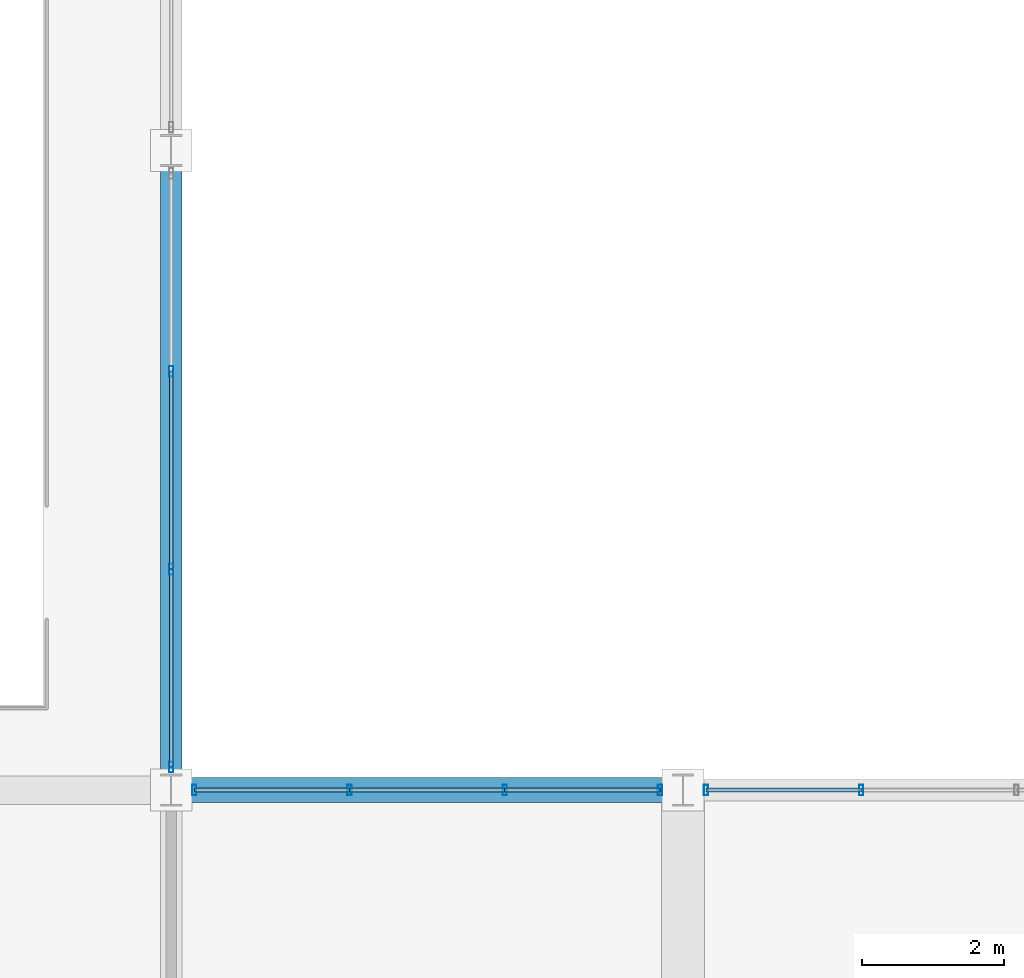
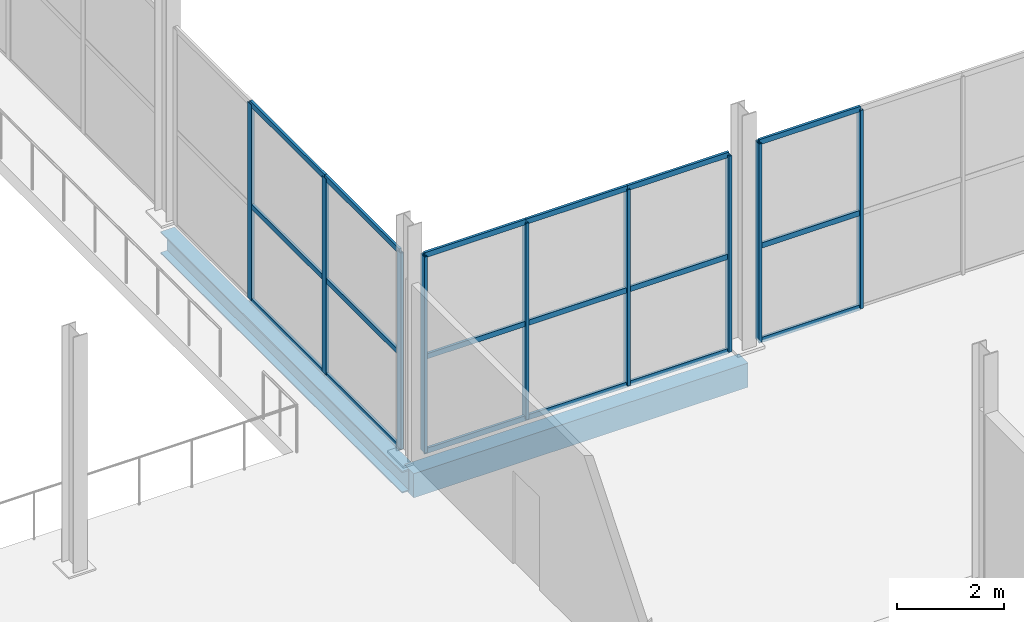
# One storey, part 45 of 147: 27 members, 2 beams, 3 elements without a shape of their own.
"""IFC4 building model written with IfcOpenShell, lengths in metres."""

from ifc_helpers import new_model, si_unit, direction, frame, origin, origin_2d, place, context, subcontext, project, spatial, rectangle, hollow_rectangle, i_section, extrude, material, layer, layer_set, material_profile, profile_set, type_object, element, aggregate, save


model = new_model("IFC4")

# Units and contexts
model_context = context("Model", 3, precision=1e-05, world=origin(), true_north=direction((0.0, 1.0)))
body_context = subcontext(model_context, "Body", "Model", "MODEL_VIEW")
ifc_project = project(units=[si_unit("LENGTHUNIT", "METRE"), si_unit("AREAUNIT", "SQUARE_METRE"), si_unit("VOLUMEUNIT", "CUBIC_METRE"), si_unit("PLANEANGLEUNIT", "RADIAN"), si_unit("MASSUNIT", "GRAM", prefix="KILO")], contexts=[model_context])

# Site, building, storey
site_placement = place(None, origin())
site = spatial("IfcSite", under=ifc_project, at=site_placement, CompositionType="ELEMENT")
building_placement = place(site_placement, origin())
building = spatial("IfcBuilding", under=site, at=building_placement, Name="Sundgate Opera House", CompositionType="ELEMENT")
storey_placement = place(building_placement, frame((0.0, 0.0, 6.0)))
storey = spatial("IfcBuildingStorey", under=building, at=storey_placement, Name="L01", CompositionType="ELEMENT", Elevation=6.0)

# Beams
ifc_material_1 = material(Name="Steel S355J2", Category="steel")
ifc_material_profile_1 = material_profile(ifc_material_1, i_section(OverallWidth=0.300048828125, OverallDepth=0.5, WebThickness=0.014404296875, FlangeThickness=0.028076171875, at=origin_2d()), Name="HEB 500")
ifc_profile_set_1 = profile_set([ifc_material_profile_1], Name="Steel S355J2")
beam_type_1 = type_object("IfcBeamType", Name="BM-GR-HEB500", PredefinedType="BEAM", material=ifc_profile_set_1)
beam_1_placement = place(storey_placement, frame((117.0, 42.0, -0.550048828125), z_axis=(0.0, 1.0, 0.0), x_axis=(-1.0, 0.0, 0.0)))
element("IfcBeam", 1, at=beam_1_placement, inside=storey, type_object=beam_type_1, Name="L01 Primary N-S Girder B1186", PredefinedType="BEAM", context=body_context, shape_type="SweptSolid", body=[
    extrude(i_section(OverallWidth=0.300048828125, OverallDepth=0.5, WebThickness=0.014404296875, FlangeThickness=0.028076171875, at=origin_2d()), origin(), (0.0, 0.0, 1.0), 9.0),
])
ifc_material_2 = material(Name="Concrete C35/45", Category="concrete")
ifc_material_profile_2 = material_profile(ifc_material_2, rectangle(XDim=0.35009765625, YDim=0.550048828125, at=origin_2d()), Name="RC 350x550")
ifc_profile_set_2 = profile_set([ifc_material_profile_2], Name="Concrete C35/45")
beam_type_2 = type_object("IfcBeamType", Name="BM-RC-350x550", PredefinedType="BEAM", material=ifc_profile_set_2)
beam_2_placement = place(storey_placement, frame((117.0, 42.0, -0.574951171875), z_axis=(1.0, 0.0, 0.0), x_axis=(0.0, 1.0, 0.0)))
element("IfcBeam", 2, at=beam_2_placement, inside=storey, type_object=beam_type_2, Name="L01 Primary E-W Girder B1335", PredefinedType="BEAM", context=body_context, shape_type="SweptSolid", body=[
    extrude(rectangle(XDim=0.35009765625, YDim=0.550048828125, at=origin_2d()), origin(), (0.0, 0.0, 1.0), 7.199951171875),
])

# Curtain wall, members
ifc_material_3 = material(Name="Anodized aluminium and low-iron glass", Category="aluminium")
ifc_layer = layer(ifc_material_3, 0.159912109375)
ifc_layer_set = layer_set([ifc_layer], Name="Anodized aluminium and low-iron glass")
curtain_wall_type = type_object("IfcCurtainWallType", Name="CW-STUDIO-DARK", PredefinedType="NOTDEFINED", material=ifc_layer_set)
curtain_wall_1_placement = place(storey_placement, origin())
curtain_wall_1 = element("IfcCurtainWall", 3, at=curtain_wall_1_placement, inside=storey, type_object=curtain_wall_type, Name="L01 Curtain Wall CW052", PredefinedType="NOTDEFINED")
ifc_material_4 = material(Name="Anodized aluminium EN AW-6063", Category="aluminium")
ifc_material_profile_3 = material_profile(ifc_material_4, hollow_rectangle(XDim=0.06005859375, YDim=0.14990234375, WallThickness=0.00390625, at=origin_2d()), Name="CWM 150x60x4")
ifc_profile_set_3 = profile_set([ifc_material_profile_3], Name="Anodized aluminium EN AW-6063")
member_type_1 = type_object("IfcMemberType", Name="CWM-ALU-150x60", PredefinedType="MULLION", material=ifc_profile_set_3)
member_1_placement = place(storey_placement, frame((117.324951171875, 42.0, 0.0), z_axis=(0.0, 0.0, 1.0), x_axis=(1.0, 0.0, 0.0)))
member_1 = element("IfcMember", 4, at=member_1_placement, type_object=member_type_1, Name="CW052 Mullion 1", PredefinedType="MULLION", context=body_context, shape_type="SweptSolid", body=[
    extrude(hollow_rectangle(XDim=0.06005859375, YDim=0.14990234375, WallThickness=0.00390625, at=origin_2d()), origin(), (0.0, 0.0, 1.0), 4.465087890625),
])
member_2_placement = place(storey_placement, frame((119.50830078125, 42.0, 0.0), z_axis=(0.0, 0.0, 1.0), x_axis=(1.0, 0.0, 0.0)))
member_2 = element("IfcMember", 5, at=member_2_placement, type_object=member_type_1, Name="CW052 Mullion 2", PredefinedType="MULLION", context=body_context, shape_type="SweptSolid", body=[
    extrude(hollow_rectangle(XDim=0.06005859375, YDim=0.14990234375, WallThickness=0.00390625, at=origin_2d()), origin(), (0.0, 0.0, 1.0), 4.465087890625),
])
member_3_placement = place(storey_placement, frame((121.691650390625, 42.0, 0.0), z_axis=(0.0, 0.0, 1.0), x_axis=(1.0, 0.0, 0.0)))
member_3 = element("IfcMember", 6, at=member_3_placement, type_object=member_type_1, Name="CW052 Mullion 3", PredefinedType="MULLION", context=body_context, shape_type="SweptSolid", body=[
    extrude(hollow_rectangle(XDim=0.06005859375, YDim=0.14990234375, WallThickness=0.00390625, at=origin_2d()), origin(), (0.0, 0.0, 1.0), 4.465087890625),
])
member_4_placement = place(storey_placement, frame((123.875, 42.0, 0.0), z_axis=(0.0, 0.0, 1.0), x_axis=(1.0, 0.0, 0.0)))
member_4 = element("IfcMember", 7, at=member_4_placement, type_object=member_type_1, Name="CW052 Mullion 4", PredefinedType="MULLION", context=body_context, shape_type="SweptSolid", body=[
    extrude(hollow_rectangle(XDim=0.06005859375, YDim=0.14990234375, WallThickness=0.00390625, at=origin_2d()), origin(), (0.0, 0.0, 1.0), 4.465087890625),
])

curtain_wall_2_placement = place(storey_placement, origin())
curtain_wall_2 = element("IfcCurtainWall", 8, at=curtain_wall_2_placement, inside=storey, type_object=curtain_wall_type, Name="L01 Curtain Wall CW054", PredefinedType="NOTDEFINED")
member_5_placement = place(storey_placement, frame((124.52490234375, 42.0, 0.0), z_axis=(0.0, 0.0, 1.0), x_axis=(1.0, 0.0, 0.0)))
member_5 = element("IfcMember", 9, at=member_5_placement, type_object=member_type_1, Name="CW054 Mullion 1", PredefinedType="MULLION", context=body_context, shape_type="SweptSolid", body=[
    extrude(hollow_rectangle(XDim=0.06005859375, YDim=0.14990234375, WallThickness=0.00390625, at=origin_2d()), origin(), (0.0, 0.0, 1.0), 4.514892578125),
])
member_6_placement = place(storey_placement, frame((126.708251953125, 42.0, 0.0), z_axis=(0.0, 0.0, 1.0), x_axis=(1.0, 0.0, 0.0)))
member_6 = element("IfcMember", 10, at=member_6_placement, type_object=member_type_1, Name="CW054 Mullion 2", PredefinedType="MULLION", context=body_context, shape_type="SweptSolid", body=[
    extrude(hollow_rectangle(XDim=0.06005859375, YDim=0.14990234375, WallThickness=0.00390625, at=origin_2d()), origin(), (0.0, 0.0, 1.0), 4.514892578125),
])

curtain_wall_3_placement = place(storey_placement, origin())
curtain_wall_3 = element("IfcCurtainWall", 11, at=curtain_wall_3_placement, inside=storey, type_object=curtain_wall_type, Name="L01 Curtain Wall CW058", PredefinedType="NOTDEFINED")
member_7_placement = place(storey_placement, frame((117.0, 42.324951171875, 0.0), z_axis=(0.0, 0.0, 1.0), x_axis=(1.0, 0.0, 0.0)))
member_7 = element("IfcMember", 12, at=member_7_placement, type_object=member_type_1, Name="CW058 Mullion 1", PredefinedType="MULLION", context=body_context, shape_type="SweptSolid", body=[
    extrude(hollow_rectangle(XDim=0.06005859375, YDim=0.14990234375, WallThickness=0.00390625, at=origin_2d()), origin(), (0.0, 0.0, 1.0), 4.465087890625),
])
member_8_placement = place(storey_placement, frame((117.0, 45.1083984375, 0.0), z_axis=(0.0, 0.0, 1.0), x_axis=(1.0, 0.0, 0.0)))
member_8 = element("IfcMember", 13, at=member_8_placement, type_object=member_type_1, Name="CW058 Mullion 2", PredefinedType="MULLION", context=body_context, shape_type="SweptSolid", body=[
    extrude(hollow_rectangle(XDim=0.06005859375, YDim=0.14990234375, WallThickness=0.00390625, at=origin_2d()), origin(), (0.0, 0.0, 1.0), 4.465087890625),
])
member_9_placement = place(storey_placement, frame((117.0, 47.8916015625, 0.0), z_axis=(0.0, 0.0, 1.0), x_axis=(1.0, 0.0, 0.0)))
member_9 = element("IfcMember", 14, at=member_9_placement, type_object=member_type_1, Name="CW058 Mullion 3", PredefinedType="MULLION", context=body_context, shape_type="SweptSolid", body=[
    extrude(hollow_rectangle(XDim=0.06005859375, YDim=0.14990234375, WallThickness=0.00390625, at=origin_2d()), origin(), (0.0, 0.0, 1.0), 4.465087890625),
])

# Member
ifc_material_5 = material(Name="Anodized aluminium EN AW-6063", Category="aluminium")
ifc_material_profile_4 = material_profile(ifc_material_5, hollow_rectangle(XDim=0.054931640625, YDim=0.1201171875, WallThickness=0.00390625, at=origin_2d()), Name="CWT 120x55x4")
ifc_profile_set_4 = profile_set([ifc_material_profile_4], Name="Anodized aluminium EN AW-6063")
member_type_2 = type_object("IfcMemberType", Name="CWT-ALU-120x55", PredefinedType="USERDEFINED", material=ifc_profile_set_4)
member_10_placement = place(storey_placement, frame((117.324951171875, 42.0, 0.0), z_axis=(1.0, 0.0, 0.0), x_axis=(0.0, 1.0, 0.0)))
member_10 = element("IfcMember", 15, at=member_10_placement, type_object=member_type_2, Name="CW052 Transom 1", ObjectType="TRANSOM", PredefinedType="USERDEFINED", context=body_context, shape_type="SweptSolid", body=[
    extrude(hollow_rectangle(XDim=0.054931640625, YDim=0.1201171875, WallThickness=0.00390625, at=origin_2d()), origin(), (0.0, 0.0, 1.0), 2.183349609375),
])

member_11_placement = place(storey_placement, frame((117.324951171875, 42.0, 2.14990234375), z_axis=(1.0, 0.0, 0.0), x_axis=(0.0, 1.0, 0.0)))
member_11 = element("IfcMember", 16, at=member_11_placement, type_object=member_type_2, Name="CW052 Transom 2", ObjectType="TRANSOM", PredefinedType="USERDEFINED", context=body_context, shape_type="SweptSolid", body=[
    extrude(hollow_rectangle(XDim=0.054931640625, YDim=0.1201171875, WallThickness=0.00390625, at=origin_2d()), origin(), (0.0, 0.0, 1.0), 2.183349609375),
])

member_12_placement = place(storey_placement, frame((117.324951171875, 42.0, 4.465087890625), z_axis=(1.0, 0.0, 0.0), x_axis=(0.0, 1.0, 0.0)))
member_12 = element("IfcMember", 17, at=member_12_placement, type_object=member_type_2, Name="CW052 Transom 3", ObjectType="TRANSOM", PredefinedType="USERDEFINED", context=body_context, shape_type="SweptSolid", body=[
    extrude(hollow_rectangle(XDim=0.054931640625, YDim=0.1201171875, WallThickness=0.00390625, at=origin_2d()), origin(), (0.0, 0.0, 1.0), 2.183349609375),
])

member_13_placement = place(storey_placement, frame((119.50830078125, 42.0, 0.0), z_axis=(1.0, 0.0, 0.0), x_axis=(0.0, 1.0, 0.0)))
member_13 = element("IfcMember", 18, at=member_13_placement, type_object=member_type_2, Name="CW052 Transom 4", ObjectType="TRANSOM", PredefinedType="USERDEFINED", context=body_context, shape_type="SweptSolid", body=[
    extrude(hollow_rectangle(XDim=0.054931640625, YDim=0.1201171875, WallThickness=0.00390625, at=origin_2d()), origin(), (0.0, 0.0, 1.0), 2.183349609375),
])

member_14_placement = place(storey_placement, frame((119.50830078125, 42.0, 2.14990234375), z_axis=(1.0, 0.0, 0.0), x_axis=(0.0, 1.0, 0.0)))
member_14 = element("IfcMember", 19, at=member_14_placement, type_object=member_type_2, Name="CW052 Transom 5", ObjectType="TRANSOM", PredefinedType="USERDEFINED", context=body_context, shape_type="SweptSolid", body=[
    extrude(hollow_rectangle(XDim=0.054931640625, YDim=0.1201171875, WallThickness=0.00390625, at=origin_2d()), origin(), (0.0, 0.0, 1.0), 2.183349609375),
])

member_15_placement = place(storey_placement, frame((119.50830078125, 42.0, 4.465087890625), z_axis=(1.0, 0.0, 0.0), x_axis=(0.0, 1.0, 0.0)))
member_15 = element("IfcMember", 20, at=member_15_placement, type_object=member_type_2, Name="CW052 Transom 6", ObjectType="TRANSOM", PredefinedType="USERDEFINED", context=body_context, shape_type="SweptSolid", body=[
    extrude(hollow_rectangle(XDim=0.054931640625, YDim=0.1201171875, WallThickness=0.00390625, at=origin_2d()), origin(), (0.0, 0.0, 1.0), 2.183349609375),
])

member_16_placement = place(storey_placement, frame((121.691650390625, 42.0, 0.0), z_axis=(1.0, 0.0, 0.0), x_axis=(0.0, 1.0, 0.0)))
member_16 = element("IfcMember", 21, at=member_16_placement, type_object=member_type_2, Name="CW052 Transom 7", ObjectType="TRANSOM", PredefinedType="USERDEFINED", context=body_context, shape_type="SweptSolid", body=[
    extrude(hollow_rectangle(XDim=0.054931640625, YDim=0.1201171875, WallThickness=0.00390625, at=origin_2d()), origin(), (0.0, 0.0, 1.0), 2.183349609375),
])

member_17_placement = place(storey_placement, frame((121.691650390625, 42.0, 2.14990234375), z_axis=(1.0, 0.0, 0.0), x_axis=(0.0, 1.0, 0.0)))
member_17 = element("IfcMember", 22, at=member_17_placement, type_object=member_type_2, Name="CW052 Transom 8", ObjectType="TRANSOM", PredefinedType="USERDEFINED", context=body_context, shape_type="SweptSolid", body=[
    extrude(hollow_rectangle(XDim=0.054931640625, YDim=0.1201171875, WallThickness=0.00390625, at=origin_2d()), origin(), (0.0, 0.0, 1.0), 2.183349609375),
])

member_18_placement = place(storey_placement, frame((121.691650390625, 42.0, 4.465087890625), z_axis=(1.0, 0.0, 0.0), x_axis=(0.0, 1.0, 0.0)))
member_18 = element("IfcMember", 23, at=member_18_placement, type_object=member_type_2, Name="CW052 Transom 9", ObjectType="TRANSOM", PredefinedType="USERDEFINED", context=body_context, shape_type="SweptSolid", body=[
    extrude(hollow_rectangle(XDim=0.054931640625, YDim=0.1201171875, WallThickness=0.00390625, at=origin_2d()), origin(), (0.0, 0.0, 1.0), 2.183349609375),
])

aggregate(curtain_wall_1, [member_1, member_2, member_3, member_4, member_10, member_11, member_12, member_13, member_14, member_15, member_16, member_17, member_18])

member_19_placement = place(storey_placement, frame((124.52490234375, 42.0, 0.0), z_axis=(1.0, 0.0, 0.0), x_axis=(0.0, 1.0, 0.0)))
member_19 = element("IfcMember", 24, at=member_19_placement, type_object=member_type_2, Name="CW054 Transom 1", ObjectType="TRANSOM", PredefinedType="USERDEFINED", context=body_context, shape_type="SweptSolid", body=[
    extrude(hollow_rectangle(XDim=0.054931640625, YDim=0.1201171875, WallThickness=0.00390625, at=origin_2d()), origin(), (0.0, 0.0, 1.0), 2.183349609375),
])

member_20_placement = place(storey_placement, frame((124.52490234375, 42.0, 2.14990234375), z_axis=(1.0, 0.0, 0.0), x_axis=(0.0, 1.0, 0.0)))
member_20 = element("IfcMember", 25, at=member_20_placement, type_object=member_type_2, Name="CW054 Transom 2", ObjectType="TRANSOM", PredefinedType="USERDEFINED", context=body_context, shape_type="SweptSolid", body=[
    extrude(hollow_rectangle(XDim=0.054931640625, YDim=0.1201171875, WallThickness=0.00390625, at=origin_2d()), origin(), (0.0, 0.0, 1.0), 2.183349609375),
])

member_21_placement = place(storey_placement, frame((124.52490234375, 42.0, 4.514892578125), z_axis=(1.0, 0.0, 0.0), x_axis=(0.0, 1.0, 0.0)))
member_21 = element("IfcMember", 26, at=member_21_placement, type_object=member_type_2, Name="CW054 Transom 3", ObjectType="TRANSOM", PredefinedType="USERDEFINED", context=body_context, shape_type="SweptSolid", body=[
    extrude(hollow_rectangle(XDim=0.054931640625, YDim=0.1201171875, WallThickness=0.00390625, at=origin_2d()), origin(), (0.0, 0.0, 1.0), 2.183349609375),
])

aggregate(curtain_wall_2, [member_5, member_6, member_19, member_20, member_21])

member_22_placement = place(storey_placement, frame((117.0, 42.324951171875, 0.0), z_axis=(0.0, 1.0, 0.0), x_axis=(-1.0, 0.0, 0.0)))
member_22 = element("IfcMember", 27, at=member_22_placement, type_object=member_type_2, Name="CW058 Transom 1", ObjectType="TRANSOM", PredefinedType="USERDEFINED", context=body_context, shape_type="SweptSolid", body=[
    extrude(hollow_rectangle(XDim=0.054931640625, YDim=0.1201171875, WallThickness=0.00390625, at=origin_2d()), origin(), (0.0, 0.0, 1.0), 2.783447265625),
])

member_23_placement = place(storey_placement, frame((117.0, 42.324951171875, 2.14990234375), z_axis=(0.0, 1.0, 0.0), x_axis=(-1.0, 0.0, 0.0)))
member_23 = element("IfcMember", 28, at=member_23_placement, type_object=member_type_2, Name="CW058 Transom 2", ObjectType="TRANSOM", PredefinedType="USERDEFINED", context=body_context, shape_type="SweptSolid", body=[
    extrude(hollow_rectangle(XDim=0.054931640625, YDim=0.1201171875, WallThickness=0.00390625, at=origin_2d()), origin(), (0.0, 0.0, 1.0), 2.783447265625),
])

member_24_placement = place(storey_placement, frame((117.0, 42.324951171875, 4.465087890625), z_axis=(0.0, 1.0, 0.0), x_axis=(-1.0, 0.0, 0.0)))
member_24 = element("IfcMember", 29, at=member_24_placement, type_object=member_type_2, Name="CW058 Transom 3", ObjectType="TRANSOM", PredefinedType="USERDEFINED", context=body_context, shape_type="SweptSolid", body=[
    extrude(hollow_rectangle(XDim=0.054931640625, YDim=0.1201171875, WallThickness=0.00390625, at=origin_2d()), origin(), (0.0, 0.0, 1.0), 2.783447265625),
])

member_25_placement = place(storey_placement, frame((117.0, 45.1083984375, 0.0), z_axis=(0.0, 1.0, 0.0), x_axis=(-1.0, 0.0, 0.0)))
member_25 = element("IfcMember", 30, at=member_25_placement, type_object=member_type_2, Name="CW058 Transom 4", ObjectType="TRANSOM", PredefinedType="USERDEFINED", context=body_context, shape_type="SweptSolid", body=[
    extrude(hollow_rectangle(XDim=0.054931640625, YDim=0.1201171875, WallThickness=0.00390625, at=origin_2d()), origin(), (0.0, 0.0, 1.0), 2.783203125),
])

member_26_placement = place(storey_placement, frame((117.0, 45.1083984375, 2.14990234375), z_axis=(0.0, 1.0, 0.0), x_axis=(-1.0, 0.0, 0.0)))
member_26 = element("IfcMember", 31, at=member_26_placement, type_object=member_type_2, Name="CW058 Transom 5", ObjectType="TRANSOM", PredefinedType="USERDEFINED", context=body_context, shape_type="SweptSolid", body=[
    extrude(hollow_rectangle(XDim=0.054931640625, YDim=0.1201171875, WallThickness=0.00390625, at=origin_2d()), origin(), (0.0, 0.0, 1.0), 2.783203125),
])

member_27_placement = place(storey_placement, frame((117.0, 45.1083984375, 4.465087890625), z_axis=(0.0, 1.0, 0.0), x_axis=(-1.0, 0.0, 0.0)))
member_27 = element("IfcMember", 32, at=member_27_placement, type_object=member_type_2, Name="CW058 Transom 6", ObjectType="TRANSOM", PredefinedType="USERDEFINED", context=body_context, shape_type="SweptSolid", body=[
    extrude(hollow_rectangle(XDim=0.054931640625, YDim=0.1201171875, WallThickness=0.00390625, at=origin_2d()), origin(), (0.0, 0.0, 1.0), 2.783203125),
])

aggregate(curtain_wall_3, [member_7, member_8, member_9, member_22, member_23, member_24, member_25, member_26, member_27])

save(model, "model.ifc")
